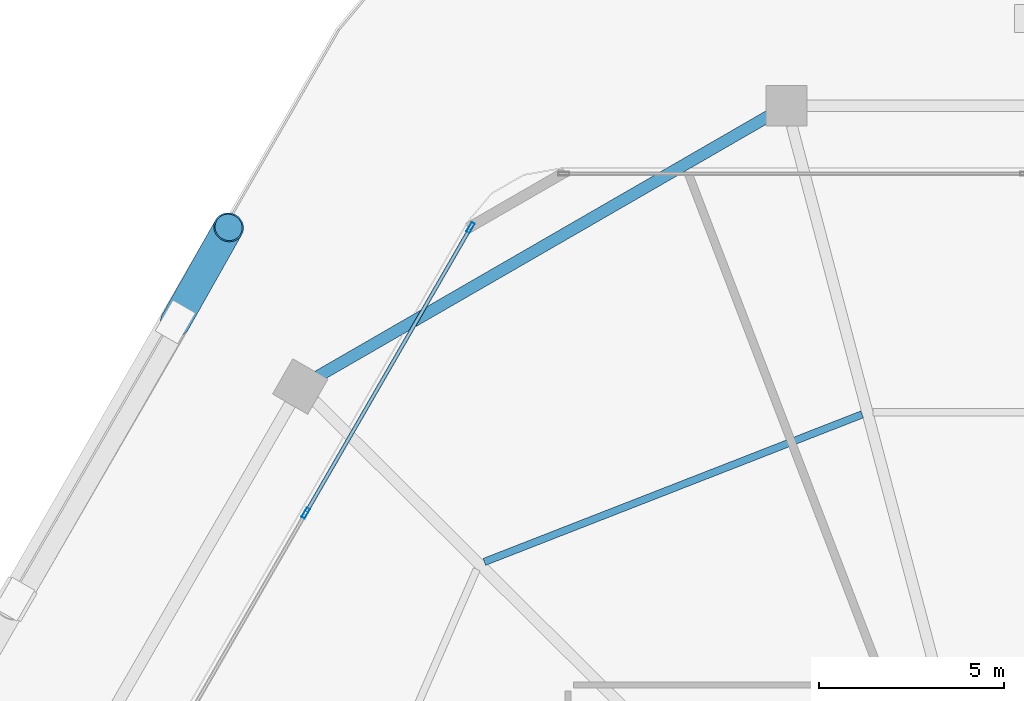
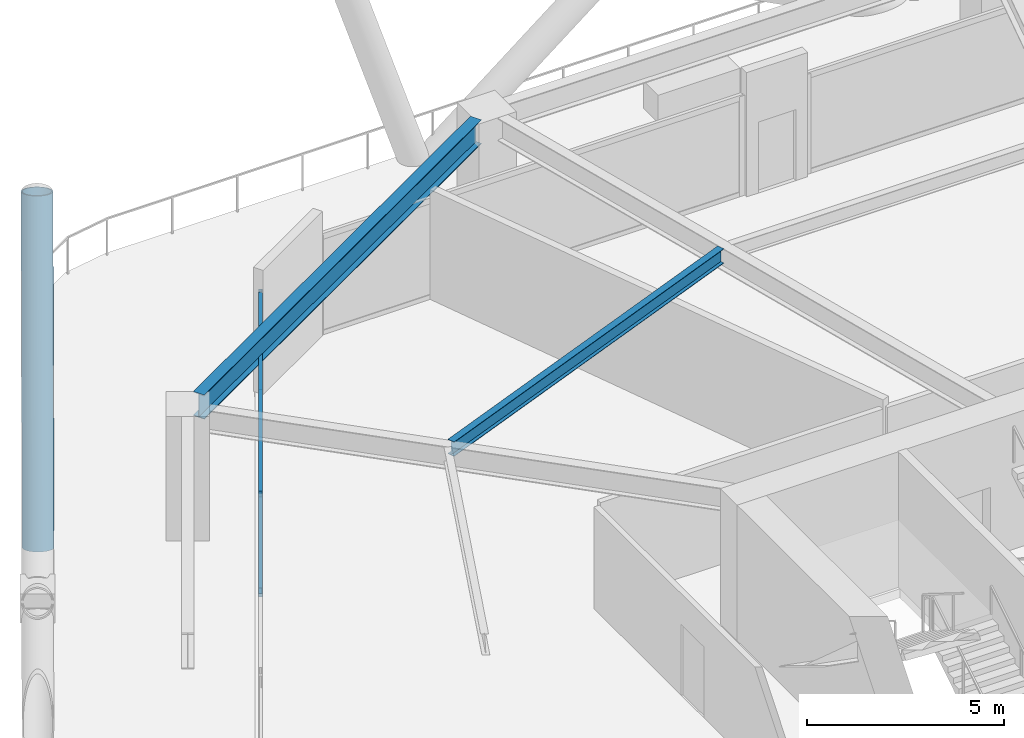
# One storey, part 14 of 28: 5 members, 2 beams, 1 element without a shape of its own.
"""IFC4 building model written with IfcOpenShell, lengths in metres."""

from ifc_helpers import new_model, si_unit, direction, frame, origin, origin_2d, place, context, subcontext, project, spatial, hollow_rectangle, hollow_circle, i_section, extrude, material, material_profile, profile_set, type_object, element, aggregate, save


model = new_model("IFC4")

# Units and contexts
model_context = context("Model", 3, precision=1e-05, world=origin(), true_north=direction((0.0, 1.0)))
body_context = subcontext(model_context, "Body", "Model", "MODEL_VIEW")
ifc_project = project(units=[si_unit("LENGTHUNIT", "METRE"), si_unit("AREAUNIT", "SQUARE_METRE"), si_unit("VOLUMEUNIT", "CUBIC_METRE"), si_unit("PLANEANGLEUNIT", "RADIAN"), si_unit("MASSUNIT", "GRAM", prefix="KILO")], contexts=[model_context])

# Site, building, storey
site_placement = place(None, origin())
site = spatial("IfcSite", under=ifc_project, at=site_placement, CompositionType="ELEMENT")
building_placement = place(site_placement, origin())
building = spatial("IfcBuilding", under=site, at=building_placement, Name="Zuhravey Tower", CompositionType="ELEMENT")
storey_placement = place(building_placement, frame((0.0, 0.0, 83.39990234375)))
storey = spatial("IfcBuildingStorey", under=building, at=storey_placement, Name="L20", CompositionType="ELEMENT", Elevation=83.39990234375)

# Member
ifc_material_1 = material(Name="Steel SM460", Category="steel")
ifc_material_profile_1 = material_profile(ifc_material_1, hollow_circle(Radius=0.406494140625, WallThickness=0.035888671875, at=origin_2d()), Name="CHS-812.8x36")
ifc_profile_set_1 = profile_set([ifc_material_profile_1], Name="Steel SM460")
member_type_1 = type_object("IfcMemberType", Name="Exoskeleton Zone 1 Diagrid CHS813x36", PredefinedType="BRACE", material=ifc_profile_set_1)
member_1_placement = place(storey_placement, frame((12.10546875, 54.110595703125, -0.471923828125), z_axis=(0.152198102067, 0.269937231263, 0.950773174267), x_axis=(-0.871080888564, 0.491139578509, 0.0)))
element("IfcMember", 1, at=member_1_placement, inside=storey, type_object=member_type_1, Name="L20 Face 3 Diagrid Brace 1", PredefinedType="BRACE", context=body_context, shape_type="SweptSolid", body=[
    extrude(hollow_circle(Radius=0.406494140625, WallThickness=0.035888671875, at=origin_2d()), origin(), (0.0, 0.0, 1.0), 9.451416015625),
])

# Curtain wall, members
ifc_material_2 = material(Name="Thermally broken anodised aluminium", Category="aluminium")
curtain_wall_type = type_object("IfcCurtainWallType", Name="Sky-Playground Recessed Curtain Wall CW2", PredefinedType="NOTDEFINED", material=ifc_material_2)
curtain_wall_placement = place(storey_placement, origin())
curtain_wall = element("IfcCurtainWall", 2, at=curtain_wall_placement, inside=storey, type_object=curtain_wall_type, Name="L20 CW2 CW-L20-F3-1", PredefinedType="NOTDEFINED")
ifc_material_3 = material(Name="Anodised aluminium", Category="aluminium")
ifc_material_profile_2 = material_profile(ifc_material_3, hollow_rectangle(XDim=0.10009765625, YDim=0.2900390625, WallThickness=0.006103515625, at=origin_2d()), Name="ALU-RHS-100x290x6")
ifc_profile_set_2 = profile_set([ifc_material_profile_2], Name="Anodised aluminium")
member_type_2 = type_object("IfcMemberType", Name="Heavy Tall-Storey Mullion 100x220", PredefinedType="MULLION", material=ifc_profile_set_2)
member_2_placement = place(storey_placement, frame((15.6298828125, 48.934814453125, 0.0), z_axis=(0.0, 0.0, 1.0), x_axis=(-0.866025967368, 0.499999023843, 0.0)))
member_2 = element("IfcMember", 3, at=member_2_placement, type_object=member_type_2, Name="CW2 mullion 3", PredefinedType="MULLION", context=body_context, shape_type="SweptSolid", body=[
    extrude(hollow_rectangle(XDim=0.10009765625, YDim=0.2900390625, WallThickness=0.006103515625, at=origin_2d()), origin(), (0.0, 0.0, 1.0), 3.10009765625),
])
member_3_placement = place(storey_placement, frame((20.085693359375, 56.652587890625, 0.0), z_axis=(0.0, 0.0, 1.0), x_axis=(-0.866025967368, 0.499999023843, 0.0)))
member_3 = element("IfcMember", 4, at=member_3_placement, type_object=member_type_2, Name="CW2 mullion 4", PredefinedType="MULLION", context=body_context, shape_type="SweptSolid", body=[
    extrude(hollow_rectangle(XDim=0.10009765625, YDim=0.2900390625, WallThickness=0.006103515625, at=origin_2d()), origin(), (0.0, 0.0, 1.0), 3.10009765625),
])

# Beams
ifc_material_4 = material(Name="Steel SM355", Category="steel")
ifc_material_profile_3 = material_profile(ifc_material_4, i_section(OverallWidth=0.320068359375, OverallDepth=0.75, WebThickness=0.013916015625, FlangeThickness=0.02490234375, at=origin_2d()), Name="H-750x320x14x25")
ifc_profile_set_3 = profile_set([ifc_material_profile_3], Name="Steel SM355")
beam_type_1 = type_object("IfcBeamType", Name="Perimeter Ring Beam H750x320", PredefinedType="BEAM", material=ifc_profile_set_3)
beam_1_placement = place(storey_placement, frame((28.151123046875, 59.672119140625, 3.47509765625), z_axis=(-0.866017786538, -0.500013193225, 0.0), x_axis=(0.500013193225, -0.866017786538, 0.0)))
element("IfcBeam", 5, at=beam_1_placement, inside=storey, type_object=beam_type_1, Name="L20 PB1 BM-L20-PB-04", PredefinedType="BEAM", context=body_context, shape_type="SweptSolid", body=[
    extrude(i_section(OverallWidth=0.320068359375, OverallDepth=0.75, WebThickness=0.013916015625, FlangeThickness=0.02490234375, at=origin_2d()), origin(), (0.0, 0.0, 1.0), 14.0771484375),
])
ifc_material_profile_4 = material_profile(ifc_material_4, i_section(OverallWidth=0.199951171875, OverallDepth=0.449951171875, WebThickness=0.009033203125, FlangeThickness=0.013916015625, at=origin_2d()), Name="H-450x200x9x14")
ifc_profile_set_4 = profile_set([ifc_material_profile_4], Name="Steel SM355")
beam_type_2 = type_object("IfcBeamType", Name="Secondary Floor Joist H450x200", PredefinedType="JOIST", material=ifc_profile_set_4)
beam_2_placement = place(storey_placement, frame((30.67236328125, 51.60302734375, 3.625), z_axis=(-0.931516535886, -0.363698973562, 0.0), x_axis=(0.363698973562, -0.931516535886, 0.0)))
element("IfcBeam", 6, at=beam_2_placement, inside=storey, type_object=beam_type_2, Name="L20 SJ1 BM-L20-SJ-04-1", PredefinedType="JOIST", context=body_context, shape_type="SweptSolid", body=[
    extrude(i_section(OverallWidth=0.199951171875, OverallDepth=0.449951171875, WebThickness=0.009033203125, FlangeThickness=0.013916015625, at=origin_2d()), origin(), (0.0, 0.0, 1.0), 10.963134765625),
])

# Member
ifc_material_profile_5 = material_profile(ifc_material_3, hollow_rectangle(XDim=0.10009765625, YDim=0.179931640625, WallThickness=0.006103515625, at=origin_2d()), Name="ALU-RHS-100x180x6")
ifc_profile_set_5 = profile_set([ifc_material_profile_5], Name="Anodised aluminium")
member_type_3 = type_object("IfcMemberType", Name="Tall-Storey Transom 100x180", PredefinedType="USERDEFINED", material=ifc_profile_set_5)
member_4_placement = place(storey_placement, frame((15.65478515625, 48.97802734375, 0.050048828125), z_axis=(0.50000385009, 0.866023180923, 0.0), x_axis=(-0.866023180923, 0.50000385009, 0.0)))
member_4 = element("IfcMember", 7, at=member_4_placement, type_object=member_type_3, Name="CW2 transom 3.1", ObjectType="TRANSOM", PredefinedType="USERDEFINED", context=body_context, shape_type="SweptSolid", body=[
    extrude(hollow_rectangle(XDim=0.10009765625, YDim=0.179931640625, WallThickness=0.006103515625, at=origin_2d()), origin(), (0.0, 0.0, 1.0), 8.81201171875),
])

member_5_placement = place(storey_placement, frame((15.65478515625, 48.97802734375, 3.050048828125), z_axis=(0.50000385009, 0.866023180923, 0.0), x_axis=(-0.866023180923, 0.50000385009, 0.0)))
member_5 = element("IfcMember", 8, at=member_5_placement, type_object=member_type_3, Name="CW2 transom 3.2", ObjectType="TRANSOM", PredefinedType="USERDEFINED", context=body_context, shape_type="SweptSolid", body=[
    extrude(hollow_rectangle(XDim=0.10009765625, YDim=0.179931640625, WallThickness=0.006103515625, at=origin_2d()), origin(), (0.0, 0.0, 1.0), 8.81201171875),
])

aggregate(curtain_wall, [member_2, member_3, member_4, member_5])

save(model, "model.ifc")
